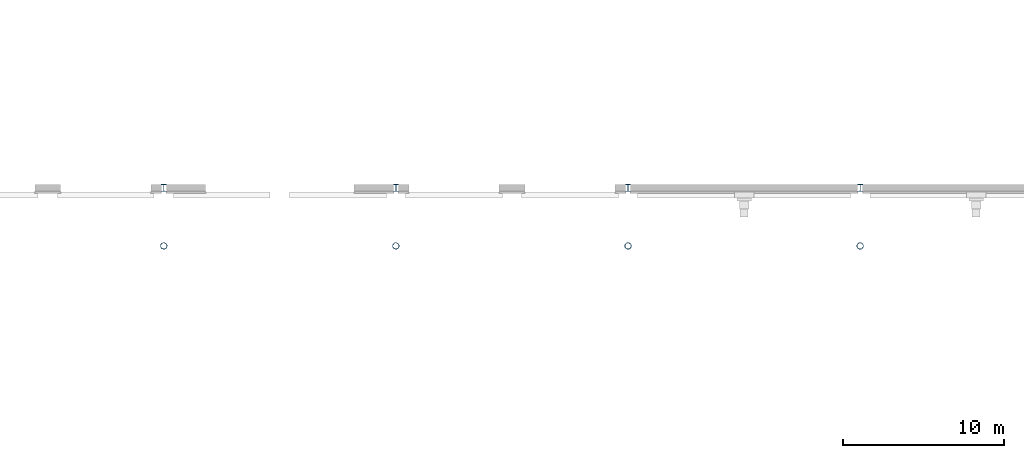
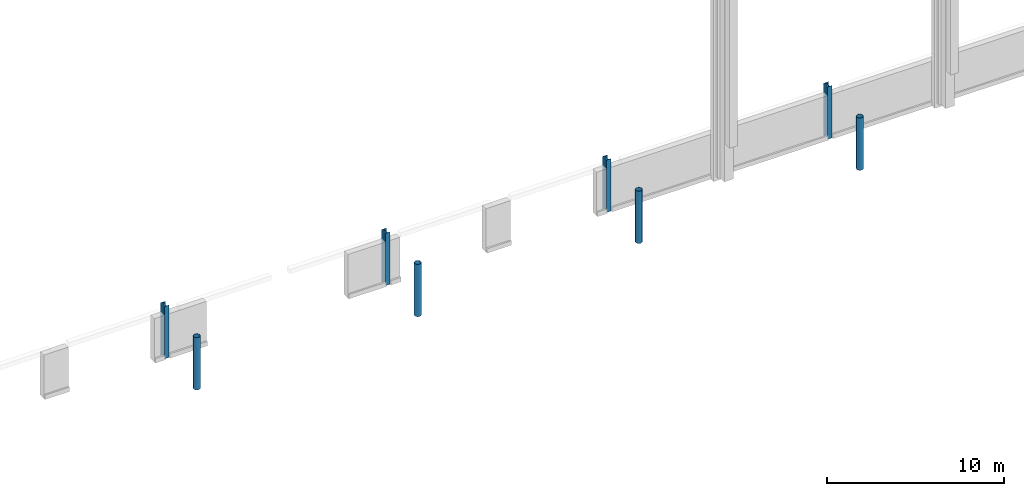
# One storey, part 16 of 90: 8 columns.
"""IFC4 building model written with IfcOpenShell, lengths in metres."""

from ifc_helpers import new_model, si_unit, direction, frame, origin, origin_2d, place, context, subcontext, project, spatial, hollow_circle, i_section, extrude, material, material_profile, profile_set, type_object, element, save


model = new_model("IFC4")

# Units and contexts
model_context = context("Model", 3, precision=1e-05, world=origin(), true_north=direction((0.0, 1.0)))
body_context = subcontext(model_context, "Body", "Model", "MODEL_VIEW")
ifc_project = project(units=[si_unit("LENGTHUNIT", "METRE"), si_unit("AREAUNIT", "SQUARE_METRE"), si_unit("VOLUMEUNIT", "CUBIC_METRE"), si_unit("PLANEANGLEUNIT", "RADIAN"), si_unit("MASSUNIT", "GRAM", prefix="KILO")], contexts=[model_context])

# Site, building, storey
site_placement = place(None, origin())
site = spatial("IfcSite", under=ifc_project, at=site_placement, CompositionType="ELEMENT")
building_placement = place(site_placement, origin())
building = spatial("IfcBuilding", under=site, at=building_placement, Name="Kupolbacken Congress Centre", CompositionType="ELEMENT")
storey_placement = place(building_placement, frame((0.0, 0.0, 3.60009765625)))
storey = spatial("IfcBuildingStorey", under=building, at=storey_placement, Name="L01", CompositionType="ELEMENT", Elevation=3.60009765625)

# Columns
ifc_material_1 = material(Name="Steel S355", Category="steel")
ifc_material_profile_1 = material_profile(ifc_material_1, i_section(OverallWidth=0.300048828125, OverallDepth=0.43994140625, WebThickness=0.011474609375, FlangeThickness=0.02099609375, FilletRadius=0.027099609375, at=origin_2d()), Name="HEA 450")
ifc_profile_set_1 = profile_set([ifc_material_profile_1], Name="Steel S355")
column_type_1 = type_object("IfcColumnType", Name="C07 column HEA 450", PredefinedType="COLUMN", material=ifc_profile_set_1)
for number, where, z_axis, x_axis, name in (
    (1, (136.800048828125, 43.199951171875, 0.0), (0.0, 0.0, 1.0), (1.0, 0.0, 0.0), "S/col/C-H-T4S/L01"),
    (2, (151.199951171875, 43.199951171875, 0.0), (0.0, 0.0, 1.0), (1.0, 0.0, 0.0), "S/col/C-H-T5S/L01"),
    (3, (165.60009765625, 43.199951171875, 0.0), (0.0, 0.0, 1.0), (1.0, 0.0, 0.0), "S/col/C-H-T6S/L01"),
    (4, (180.0, 43.199951171875, 0.0), (0.0, 0.0, 1.0), (1.0, 0.0, 0.0), "S/col/C-H-T7S/L01"),
):
    element("IfcColumn", number, at=place(storey_placement, frame(where, z_axis=z_axis, x_axis=x_axis)), inside=storey, type_object=column_type_1, Name=name, PredefinedType="COLUMN", context=body_context, shape_type="SweptSolid", body=[
        extrude(i_section(OverallWidth=0.300048828125, OverallDepth=0.43994140625, WebThickness=0.011474609375, FlangeThickness=0.02099609375, FilletRadius=0.027099609375, at=origin_2d()), origin(), (0.0, 0.0, 1.0), 3.599853515625),
    ])
ifc_material_2 = material(Name="Steel S355", Category="steel")
ifc_material_profile_2 = material_profile(ifc_material_2, hollow_circle(Radius=0.203125, WallThickness=0.01611328125, at=origin_2d()), Name="CHS 406.4 x 16")
ifc_profile_set_2 = profile_set([ifc_material_profile_2], Name="Steel S355")
column_type_2 = type_object("IfcColumnType", Name="C15 roof mast CHS 406.4 x 16", PredefinedType="COLUMN", material=ifc_profile_set_2)
for number, where, z_axis, x_axis, name in (
    (5, (136.800048828125, 39.60009765625, 0.0), (0.0, 0.0, 1.0), (1.0, 0.0, 0.0), "Roof mast M4S"),
    (6, (151.199951171875, 39.60009765625, 0.0), (0.0, 0.0, 1.0), (1.0, 0.0, 0.0), "Roof mast M5S"),
    (7, (165.60009765625, 39.60009765625, 0.0), (0.0, 0.0, 1.0), (1.0, 0.0, 0.0), "Roof mast M6S"),
    (8, (180.0, 39.60009765625, 0.0), (0.0, 0.0, 1.0), (1.0, 0.0, 0.0), "Roof mast M7S"),
):
    element("IfcColumn", number, at=place(storey_placement, frame(where, z_axis=z_axis, x_axis=x_axis)), inside=storey, type_object=column_type_2, Name=name, PredefinedType="COLUMN", context=body_context, shape_type="SweptSolid", body=[
        extrude(hollow_circle(Radius=0.203125, WallThickness=0.01611328125, at=origin_2d()), origin(), (0.0, 0.0, 1.0), 3.599853515625),
    ])

save(model, "model.ifc")
